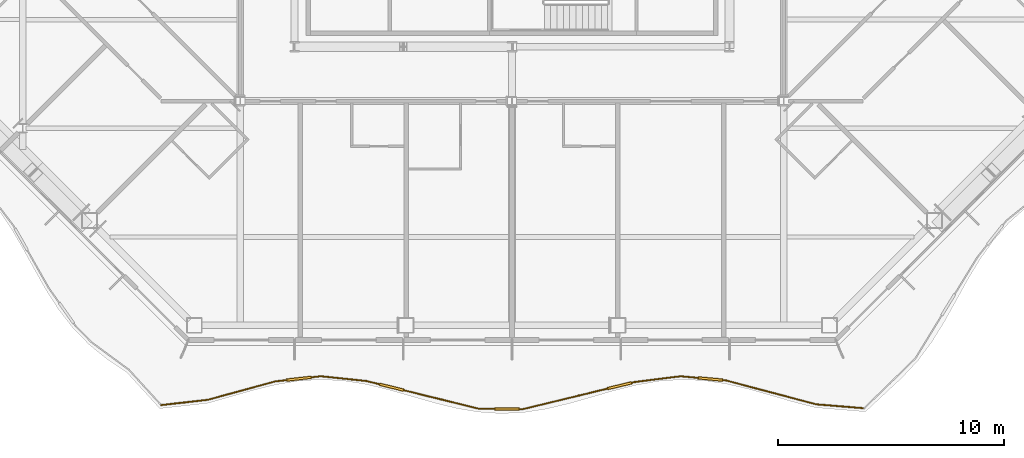
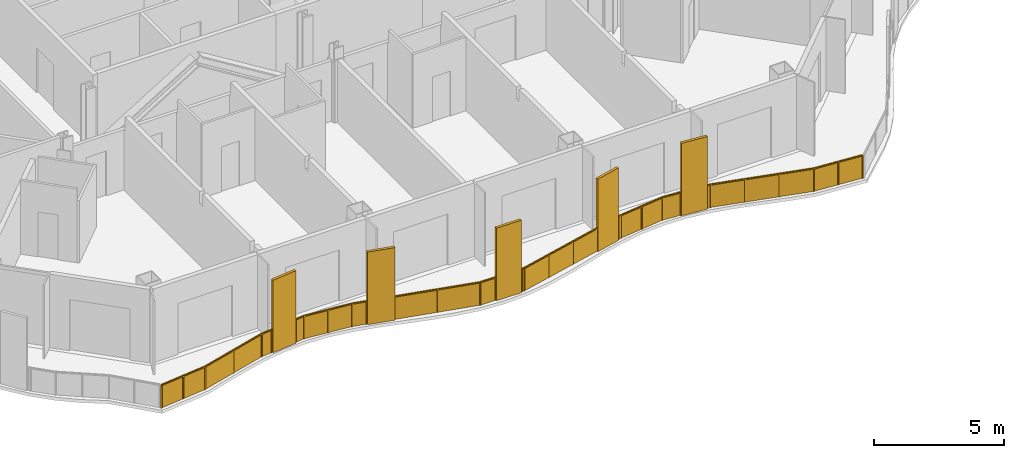
# One storey, part 16 of 21: 1 railing.
"""IFC4 building model written with IfcOpenShell, lengths in metres."""

from ifc_helpers import new_model, si_unit, direction, frame, origin, origin_2d, place, context, subcontext, project, spatial, polyline, rectangle, outline, extrude, material, type_object, element, save


model = new_model("IFC4")

# Units and contexts
model_context = context("Model", 3, precision=1e-05, world=origin(), true_north=direction((0.0, 1.0)))
body_context = subcontext(model_context, "Body", "Model", "MODEL_VIEW")
ifc_project = project(units=[si_unit("LENGTHUNIT", "METRE"), si_unit("AREAUNIT", "SQUARE_METRE"), si_unit("VOLUMEUNIT", "CUBIC_METRE"), si_unit("PLANEANGLEUNIT", "RADIAN"), si_unit("MASSUNIT", "GRAM", prefix="KILO")], contexts=[model_context])

# Site, building, storey
site_placement = place(None, origin())
site = spatial("IfcSite", under=ifc_project, at=site_placement, CompositionType="ELEMENT")
building_placement = place(site_placement, origin())
building = spatial("IfcBuilding", under=site, at=building_placement, Name="Cairn Pilgrim Tower", CompositionType="ELEMENT")
storey_placement = place(building_placement, frame((0.0, 0.0, 143.39990234375)))
storey = spatial("IfcBuildingStorey", under=building, at=storey_placement, Name="L35", CompositionType="ELEMENT", Elevation=143.39990234375)

# Railing
ifc_material = material(Name="Bronze anodised aluminium rail, posts and fin screens with laminated glass infill", Category="aluminium")
railing_type = type_object("IfcRailingType", Name="BALCONY GUARD WITH FIN SCREENS", PredefinedType="GUARDRAIL", material=ifc_material)
railing_placement = place(storey_placement, frame((-8.29248046875, -21.82275390625, 0.0)))
element("IfcRailing", 1, at=railing_placement, inside=storey, type_object=railing_type, Name="Balcony guard BGF-1 with fin screens", PredefinedType="GUARDRAIL", context=body_context, shape_type="SweptSolid", body=[
    extrude(rectangle(XDim=0.050048828125, YDim=0.050048828125, at=origin_2d()), frame((0.0, 0.0, 1.0751953125), z_axis=(0.993718700808, 0.111906852625, 0.0), x_axis=(-0.111906852625, 0.993718700808, 0.0)), (0.0, 0.0, 1.0), 2.0703125),
    extrude(rectangle(XDim=0.050048828125, YDim=0.050048828125, at=origin_2d()), frame((2.057373046875, 0.231689453125, 1.0751953125), z_axis=(0.964685333333, 0.263405025868, 0.0), x_axis=(-0.263405025868, 0.964685333333, 0.0)), (0.0, 0.0, 1.0), 3.08837890625),
    extrude(rectangle(XDim=1.10009765625, YDim=0.110107421875, at=origin_2d()), frame((6.086181640625, 1.1640625, 0.0), z_axis=(0.0, 0.0, 1.0), x_axis=(0.993637462678, 0.112625897394, 0.0)), (0.0, 0.0, 1.0), 3.39990234375),
    extrude(rectangle(XDim=0.050048828125, YDim=0.050048828125, at=origin_2d()), frame((5.03662109375, 1.045166015625, 1.0751953125), z_axis=(0.993637462678, 0.112625897394, 0.0), x_axis=(-0.112625897394, 0.993637462678, 0.0)), (0.0, 0.0, 1.0), 0.50634765625),
    extrude(rectangle(XDim=0.050048828125, YDim=0.050048828125, at=origin_2d()), frame((6.6328125, 1.22607421875, 1.0751953125), z_axis=(0.993637462678, 0.112625897394, 0.0), x_axis=(-0.112625897394, 0.993637462678, 0.0)), (0.0, 0.0, 1.0), 0.42041015625),
    extrude(rectangle(XDim=0.050048828125, YDim=0.050048828125, at=origin_2d()), frame((7.050537109375, 1.2734375, 1.0751953125), z_axis=(0.994552944942, -0.104232623051, 0.0), x_axis=(0.104232623051, 0.994552944942, 0.0)), (0.0, 0.0, 1.0), 2.023681640625),
    extrude(rectangle(XDim=1.10009765625, YDim=0.110107421875, at=origin_2d()), frame((10.178466796875, 0.78759765625, 0.0), z_axis=(0.0, 0.0, 1.0), x_axis=(0.970930323775, -0.239362291046, 0.0)), (0.0, 0.0, 1.0), 3.39990234375),
    extrude(rectangle(XDim=0.050048828125, YDim=0.050048828125, at=origin_2d()), frame((9.063232421875, 1.0625, 1.0751953125), z_axis=(0.970930323775, -0.239362291046, 0.0), x_axis=(0.239362291046, 0.970930323775, 0.0)), (0.0, 0.0, 1.0), 0.5986328125),
    extrude(rectangle(XDim=0.050048828125, YDim=0.050048828125, at=origin_2d()), frame((10.71240234375, 0.656005859375, 1.0751953125), z_axis=(0.970930323775, -0.239362291046, 0.0), x_axis=(0.239362291046, 0.970930323775, 0.0)), (0.0, 0.0, 1.0), 3.408447265625),
    extrude(rectangle(XDim=1.10009765625, YDim=0.110107421875, at=origin_2d()), frame((15.27197265625, -0.173583984375, 0.0), z_axis=(0.0, 0.0, 1.0), x_axis=(0.999940694665, -0.010890691091, 0.0)), (0.0, 0.0, 1.0), 3.39990234375),
    extrude(rectangle(XDim=0.050048828125, YDim=0.050048828125, at=origin_2d()), frame((14.021728515625, -0.159912109375, 1.0751953125), z_axis=(0.999940694665, -0.010890691091, 0.0), x_axis=(0.010890691091, 0.999940694665, 0.0)), (0.0, 0.0, 1.0), 0.7001953125),
    extrude(rectangle(XDim=0.050048828125, YDim=0.050048828125, at=origin_2d()), frame((15.82177734375, -0.179443359375, 1.0751953125), z_axis=(0.999940694665, -0.010890691091, 0.0), x_axis=(0.010890691091, 0.999940694665, 0.0)), (0.0, 0.0, 1.0), 0.150146484375),
    extrude(rectangle(XDim=1.10009765625, YDim=0.110107421875, at=origin_2d()), frame((20.2470703125, 0.8564453125, 0.0), z_axis=(0.0, 0.0, 1.0), x_axis=(0.971792276138, 0.235838444785, 0.0)), (0.0, 0.0, 1.0), 3.39990234375),
    extrude(rectangle(XDim=0.050048828125, YDim=0.050048828125, at=origin_2d()), frame((15.971923828125, -0.18115234375, 1.0751953125), z_axis=(0.971792276138, 0.235838444785, 0.0), x_axis=(-0.235838444785, 0.971792276138, 0.0)), (0.0, 0.0, 1.0), 3.849365234375),
    extrude(rectangle(XDim=0.050048828125, YDim=0.050048828125, at=origin_2d()), frame((20.78173828125, 0.986083984375, 1.0751953125), z_axis=(0.971792276138, 0.235838444785, 0.0), x_axis=(-0.235838444785, 0.971792276138, 0.0)), (0.0, 0.0, 1.0), 0.150146484375),
    extrude(rectangle(XDim=0.050048828125, YDim=0.050048828125, at=origin_2d()), frame((20.927490234375, 1.021484375, 1.0751953125), z_axis=(0.992316749148, 0.123723358186, 0.0), x_axis=(-0.123723358186, 0.992316749148, 0.0)), (0.0, 0.0, 1.0), 2.026611328125),
    extrude(rectangle(XDim=1.10009765625, YDim=0.110107421875, at=origin_2d()), frame((24.25634765625, 1.149658203125, 0.0), z_axis=(0.0, 0.0, 1.0), x_axis=(0.995698110314, -0.092656748906, 0.0)), (0.0, 0.0, 1.0), 3.39990234375),
    extrude(rectangle(XDim=0.050048828125, YDim=0.050048828125, at=origin_2d()), frame((22.9384765625, 1.272216796875, 1.0751953125), z_axis=(0.995698110314, -0.092656748906, 0.0), x_axis=(0.092656748906, 0.995698110314, 0.0)), (0.0, 0.0, 1.0), 0.7734375),
    extrude(rectangle(XDim=0.050048828125, YDim=0.050048828125, at=origin_2d()), frame((24.803955078125, 1.0986328125, 1.0751953125), z_axis=(0.995698110314, -0.092656748906, 0.0), x_axis=(0.092656748906, 0.995698110314, 0.0)), (0.0, 0.0, 1.0), 0.150146484375),
    extrude(rectangle(XDim=0.050048828125, YDim=0.050048828125, at=origin_2d()), frame((24.953369140625, 1.084716796875, 1.0751953125), z_axis=(0.966645970379, -0.256116317227, 0.0), x_axis=(0.256116317227, 0.966645970379, 0.0)), (0.0, 0.0, 1.0), 4.1083984375),
    extrude(rectangle(XDim=0.050048828125, YDim=0.050048828125, at=origin_2d()), frame((28.9248046875, 0.032470703125, 1.0751953125), z_axis=(0.996694769483, -0.081237531265, 0.0), x_axis=(0.081237531265, 0.996694769483, 0.0)), (0.0, 0.0, 1.0), 2.067626953125),
    extrude(rectangle(XDim=0.050048828125, YDim=0.050048828125, at=origin_2d()), origin(), (0.0, 0.0, 1.0), 1.050048828125),
    extrude(rectangle(XDim=0.050048828125, YDim=0.050048828125, at=origin_2d()), frame((1.02880859375, 0.11572265625, 0.0)), (0.0, 0.0, 1.0), 1.050048828125),
    extrude(rectangle(XDim=0.050048828125, YDim=0.050048828125, at=origin_2d()), frame((2.057373046875, 0.231689453125, 0.0)), (0.0, 0.0, 1.0), 1.050048828125),
    extrude(rectangle(XDim=0.050048828125, YDim=0.050048828125, at=origin_2d()), frame((3.546875, 0.638427734375, 0.0)), (0.0, 0.0, 1.0), 1.050048828125),
    extrude(rectangle(XDim=0.050048828125, YDim=0.050048828125, at=origin_2d()), frame((5.03662109375, 1.045166015625, 0.0)), (0.0, 0.0, 1.0), 1.050048828125),
    extrude(rectangle(XDim=0.050048828125, YDim=0.050048828125, at=origin_2d()), frame((5.514892578125, 1.099365234375, 0.0)), (0.0, 0.0, 1.0), 1.050048828125),
    extrude(rectangle(XDim=0.050048828125, YDim=0.050048828125, at=origin_2d()), frame((6.657470703125, 1.22900390625, 0.0)), (0.0, 0.0, 1.0), 1.050048828125),
    extrude(rectangle(XDim=0.050048828125, YDim=0.050048828125, at=origin_2d()), frame((7.050537109375, 1.2734375, 0.0)), (0.0, 0.0, 1.0), 1.050048828125),
    extrude(rectangle(XDim=0.050048828125, YDim=0.050048828125, at=origin_2d()), frame((8.056884765625, 1.16796875, 0.0)), (0.0, 0.0, 1.0), 1.050048828125),
    extrude(rectangle(XDim=0.050048828125, YDim=0.050048828125, at=origin_2d()), frame((9.063232421875, 1.0625, 0.0)), (0.0, 0.0, 1.0), 1.050048828125),
    extrude(rectangle(XDim=0.050048828125, YDim=0.050048828125, at=origin_2d()), frame((9.6201171875, 0.92529296875, 0.0)), (0.0, 0.0, 1.0), 1.050048828125),
    extrude(rectangle(XDim=0.050048828125, YDim=0.050048828125, at=origin_2d()), frame((10.73681640625, 0.64990234375, 0.0)), (0.0, 0.0, 1.0), 1.050048828125),
    extrude(rectangle(XDim=0.050048828125, YDim=0.050048828125, at=origin_2d()), frame((12.379150390625, 0.2451171875, 0.0)), (0.0, 0.0, 1.0), 1.050048828125),
    extrude(rectangle(XDim=0.050048828125, YDim=0.050048828125, at=origin_2d()), frame((14.021728515625, -0.159912109375, 0.0)), (0.0, 0.0, 1.0), 1.050048828125),
    extrude(rectangle(XDim=0.050048828125, YDim=0.050048828125, at=origin_2d()), frame((14.69677734375, -0.167236328125, 0.0)), (0.0, 0.0, 1.0), 1.050048828125),
    extrude(rectangle(XDim=0.050048828125, YDim=0.050048828125, at=origin_2d()), frame((15.846923828125, -0.1796875, 0.0)), (0.0, 0.0, 1.0), 1.050048828125),
    extrude(rectangle(XDim=0.050048828125, YDim=0.050048828125, at=origin_2d()), frame((15.971923828125, -0.18115234375, 0.0)), (0.0, 0.0, 1.0), 1.050048828125),
    extrude(rectangle(XDim=0.050048828125, YDim=0.050048828125, at=origin_2d()), frame((17.210693359375, 0.119384765625, 0.0)), (0.0, 0.0, 1.0), 1.050048828125),
    extrude(rectangle(XDim=0.050048828125, YDim=0.050048828125, at=origin_2d()), frame((18.449462890625, 0.420166015625, 0.0)), (0.0, 0.0, 1.0), 1.050048828125),
    extrude(rectangle(XDim=0.050048828125, YDim=0.050048828125, at=origin_2d()), frame((19.688232421875, 0.720703125, 0.0)), (0.0, 0.0, 1.0), 1.050048828125),
    extrude(rectangle(XDim=0.050048828125, YDim=0.050048828125, at=origin_2d()), frame((20.805908203125, 0.991943359375, 0.0)), (0.0, 0.0, 1.0), 1.050048828125),
    extrude(rectangle(XDim=0.050048828125, YDim=0.050048828125, at=origin_2d()), frame((20.927490234375, 1.021484375, 0.0)), (0.0, 0.0, 1.0), 1.050048828125),
    extrude(rectangle(XDim=0.050048828125, YDim=0.050048828125, at=origin_2d()), frame((21.93310546875, 1.14697265625, 0.0)), (0.0, 0.0, 1.0), 1.050048828125),
    extrude(rectangle(XDim=0.050048828125, YDim=0.050048828125, at=origin_2d()), frame((22.9384765625, 1.272216796875, 0.0)), (0.0, 0.0, 1.0), 1.050048828125),
    extrude(rectangle(XDim=0.050048828125, YDim=0.050048828125, at=origin_2d()), frame((23.68359375, 1.202880859375, 0.0)), (0.0, 0.0, 1.0), 1.050048828125),
    extrude(rectangle(XDim=0.050048828125, YDim=0.050048828125, at=origin_2d()), frame((24.828857421875, 1.09619140625, 0.0)), (0.0, 0.0, 1.0), 1.050048828125),
    extrude(rectangle(XDim=0.050048828125, YDim=0.050048828125, at=origin_2d()), frame((24.953369140625, 1.084716796875, 0.0)), (0.0, 0.0, 1.0), 1.050048828125),
    extrude(rectangle(XDim=0.050048828125, YDim=0.050048828125, at=origin_2d()), frame((26.277099609375, 0.73388671875, 0.0)), (0.0, 0.0, 1.0), 1.050048828125),
    extrude(rectangle(XDim=0.050048828125, YDim=0.050048828125, at=origin_2d()), frame((27.60107421875, 0.38330078125, 0.0)), (0.0, 0.0, 1.0), 1.050048828125),
    extrude(rectangle(XDim=0.050048828125, YDim=0.050048828125, at=origin_2d()), frame((28.9248046875, 0.032470703125, 0.0)), (0.0, 0.0, 1.0), 1.050048828125),
    extrude(rectangle(XDim=0.050048828125, YDim=0.050048828125, at=origin_2d()), frame((29.955078125, -0.051513671875, 0.0)), (0.0, 0.0, 1.0), 1.050048828125),
    extrude(rectangle(XDim=0.050048828125, YDim=0.050048828125, at=origin_2d()), frame((30.985595703125, -0.135498046875, 0.0)), (0.0, 0.0, 1.0), 1.050048828125),
    extrude(outline(polyline([(0.02490234375, 0.0), (1.01025390625, 0.0), (1.01025390625, 1.050048828125), (0.02490234375, 1.050048828125), (0.02490234375, 0.0)])), frame((-0.000732421875, 0.005859375, 0.0), z_axis=(0.111906852625, -0.993718700808, 0.0), x_axis=(0.993718700808, 0.111906852625, 0.0)), (0.0, 0.0, 1.0), 0.011962890625),
    extrude(outline(polyline([(0.02490234375, 0.0), (1.01025390625, 0.0), (1.01025390625, 1.050048828125), (0.02490234375, 1.050048828125), (0.02490234375, 0.0)])), frame((1.028076171875, 0.121826171875, 0.0), z_axis=(0.111906852625, -0.993718700808, 0.0), x_axis=(0.993718700808, 0.111906852625, 0.0)), (0.0, 0.0, 1.0), 0.011962890625),
    extrude(outline(polyline([(0.02490234375, 0.0), (1.51904296875, 0.0), (1.51904296875, 1.050048828125), (0.02490234375, 1.050048828125), (0.02490234375, 0.0)])), frame((2.055908203125, 0.237548828125, 0.0), z_axis=(0.263405025868, -0.964685333333, 0.0), x_axis=(0.964685333333, 0.263405025868, 0.0)), (0.0, 0.0, 1.0), 0.011962890625),
    extrude(outline(polyline([(0.02490234375, 0.0), (1.51904296875, 0.0), (1.51904296875, 1.050048828125), (0.02490234375, 1.050048828125), (0.02490234375, 0.0)])), frame((3.54541015625, 0.644287109375, 0.0), z_axis=(0.263405025868, -0.964685333333, 0.0), x_axis=(0.964685333333, 0.263405025868, 0.0)), (0.0, 0.0, 1.0), 0.011962890625),
    extrude(outline(polyline([(0.02490234375, 0.0), (0.456298828125, 0.0), (0.456298828125, 1.050048828125), (0.02490234375, 1.050048828125), (0.02490234375, 0.0)])), frame((5.035888671875, 1.051025390625, 0.0), z_axis=(0.112625897394, -0.993637462678, 0.0), x_axis=(0.993637462678, 0.112625897394, 0.0)), (0.0, 0.0, 1.0), 0.011962890625),
    extrude(outline(polyline([(0.02490234375, 0.0), (0.370361328125, 0.0), (0.370361328125, 1.050048828125), (0.02490234375, 1.050048828125), (0.02490234375, 0.0)])), frame((6.656982421875, 1.23486328125, 0.0), z_axis=(0.112625897394, -0.993637462678, 0.0), x_axis=(0.993637462678, 0.112625897394, 0.0)), (0.0, 0.0, 1.0), 0.011962890625),
    extrude(outline(polyline([(0.02490234375, 0.0), (0.98681640625, 0.0), (0.98681640625, 1.050048828125), (0.02490234375, 1.050048828125), (0.02490234375, 0.0)])), frame((7.05126953125, 1.279296875, 0.0), z_axis=(-0.104232623051, -0.994552944942, 0.0), x_axis=(0.994552944942, -0.104232623051, 0.0)), (0.0, 0.0, 1.0), 0.011962890625),
    extrude(outline(polyline([(0.02490234375, 0.0), (0.98681640625, 0.0), (0.98681640625, 1.050048828125), (0.02490234375, 1.050048828125), (0.02490234375, 0.0)])), frame((8.0576171875, 1.173828125, 0.0), z_axis=(-0.104232623051, -0.994552944942, 0.0), x_axis=(0.994552944942, -0.104232623051, 0.0)), (0.0, 0.0, 1.0), 0.011962890625),
    extrude(outline(polyline([(0.02490234375, 0.0), (0.548583984375, 0.0), (0.548583984375, 1.050048828125), (0.02490234375, 1.050048828125), (0.02490234375, 0.0)])), frame((9.064697265625, 1.068359375, 0.0), z_axis=(-0.239362291046, -0.970930323775, 0.0), x_axis=(0.970930323775, -0.239362291046, 0.0)), (0.0, 0.0, 1.0), 0.011962890625),
    extrude(outline(polyline([(0.02490234375, 0.0), (1.666748046875, 0.0), (1.666748046875, 1.050048828125), (0.02490234375, 1.050048828125), (0.02490234375, 0.0)])), frame((10.73828125, 0.65576171875, 0.0), z_axis=(-0.239362291046, -0.970930323775, 0.0), x_axis=(0.970930323775, -0.239362291046, 0.0)), (0.0, 0.0, 1.0), 0.011962890625),
    extrude(outline(polyline([(0.02490234375, 0.0), (1.666748046875, 0.0), (1.666748046875, 1.050048828125), (0.02490234375, 1.050048828125), (0.02490234375, 0.0)])), frame((12.380615234375, 0.250732421875, 0.0), z_axis=(-0.239362291046, -0.970930323775, 0.0), x_axis=(0.970930323775, -0.239362291046, 0.0)), (0.0, 0.0, 1.0), 0.011962890625),
    extrude(outline(polyline([(0.02490234375, 0.0), (0.650146484375, 0.0), (0.650146484375, 1.050048828125), (0.02490234375, 1.050048828125), (0.02490234375, 0.0)])), frame((14.021728515625, -0.154052734375, 0.0), z_axis=(-0.010890691091, -0.999940694665, 0.0), x_axis=(0.999940694665, -0.010890691091, 0.0)), (0.0, 0.0, 1.0), 0.011962890625),
    extrude(outline(polyline([(0.02490234375, 0.0), (0.10009765625, 0.0), (0.10009765625, 1.050048828125), (0.02490234375, 1.050048828125), (0.02490234375, 0.0)])), frame((15.846923828125, -0.173828125, 0.0), z_axis=(-0.010890691091, -0.999940694665, 0.0), x_axis=(0.999940694665, -0.010890691091, 0.0)), (0.0, 0.0, 1.0), 0.011962890625),
    extrude(outline(polyline([(0.02490234375, 0.0), (1.249755859375, 0.0), (1.249755859375, 1.050048828125), (0.02490234375, 1.050048828125), (0.02490234375, 0.0)])), frame((15.970458984375, -0.17529296875, 0.0), z_axis=(0.235838444785, -0.971792276138, 0.0), x_axis=(0.971792276138, 0.235838444785, 0.0)), (0.0, 0.0, 1.0), 0.011962890625),
    extrude(outline(polyline([(0.02490234375, 0.0), (1.249755859375, 0.0), (1.249755859375, 1.050048828125), (0.02490234375, 1.050048828125), (0.02490234375, 0.0)])), frame((17.209228515625, 0.125244140625, 0.0), z_axis=(0.235838444785, -0.971792276138, 0.0), x_axis=(0.971792276138, 0.235838444785, 0.0)), (0.0, 0.0, 1.0), 0.011962890625),
    extrude(outline(polyline([(0.02490234375, 0.0), (1.249755859375, 0.0), (1.249755859375, 1.050048828125), (0.02490234375, 1.050048828125), (0.02490234375, 0.0)])), frame((18.4482421875, 0.426025390625, 0.0), z_axis=(0.235838444785, -0.971792276138, 0.0), x_axis=(0.971792276138, 0.235838444785, 0.0)), (0.0, 0.0, 1.0), 0.011962890625),
    extrude(outline(polyline([(0.02490234375, 0.0), (0.10009765625, 0.0), (0.10009765625, 1.050048828125), (0.02490234375, 1.050048828125), (0.02490234375, 0.0)])), frame((20.804443359375, 0.997802734375, 0.0), z_axis=(0.235838444785, -0.971792276138, 0.0), x_axis=(0.971792276138, 0.235838444785, 0.0)), (0.0, 0.0, 1.0), 0.011962890625),
    extrude(outline(polyline([(0.02490234375, 0.0), (0.98828125, 0.0), (0.98828125, 1.050048828125), (0.02490234375, 1.050048828125), (0.02490234375, 0.0)])), frame((20.9267578125, 1.02734375, 0.0), z_axis=(0.123723358186, -0.992316749148, 0.0), x_axis=(0.992316749148, 0.123723358186, 0.0)), (0.0, 0.0, 1.0), 0.011962890625),
    extrude(outline(polyline([(0.02490234375, 0.0), (0.98828125, 0.0), (0.98828125, 1.050048828125), (0.02490234375, 1.050048828125), (0.02490234375, 0.0)])), frame((21.93212890625, 1.15283203125, 0.0), z_axis=(0.123723358186, -0.992316749148, 0.0), x_axis=(0.992316749148, 0.123723358186, 0.0)), (0.0, 0.0, 1.0), 0.011962890625),
    extrude(outline(polyline([(0.02490234375, 0.0), (0.723388671875, 0.0), (0.723388671875, 1.050048828125), (0.02490234375, 1.050048828125), (0.02490234375, 0.0)])), frame((22.93896484375, 1.278076171875, 0.0), z_axis=(-0.092656748906, -0.995698110314, 0.0), x_axis=(0.995698110314, -0.092656748906, 0.0)), (0.0, 0.0, 1.0), 0.011962890625),
    extrude(outline(polyline([(0.02490234375, 0.0), (0.10009765625, 0.0), (0.10009765625, 1.050048828125), (0.02490234375, 1.050048828125), (0.02490234375, 0.0)])), frame((24.829345703125, 1.102294921875, 0.0), z_axis=(-0.092656748906, -0.995698110314, 0.0), x_axis=(0.995698110314, -0.092656748906, 0.0)), (0.0, 0.0, 1.0), 0.011962890625),
    extrude(outline(polyline([(0.02490234375, 0.0), (1.344482421875, 0.0), (1.344482421875, 1.050048828125), (0.02490234375, 1.050048828125), (0.02490234375, 0.0)])), frame((24.954833984375, 1.090576171875, 0.0), z_axis=(-0.256116317227, -0.966645970379, 0.0), x_axis=(0.966645970379, -0.256116317227, 0.0)), (0.0, 0.0, 1.0), 0.011962890625),
    extrude(outline(polyline([(0.02490234375, 0.0), (1.344482421875, 0.0), (1.344482421875, 1.050048828125), (0.02490234375, 1.050048828125), (0.02490234375, 0.0)])), frame((26.27880859375, 0.73974609375, 0.0), z_axis=(-0.256116317227, -0.966645970379, 0.0), x_axis=(0.966645970379, -0.256116317227, 0.0)), (0.0, 0.0, 1.0), 0.011962890625),
    extrude(outline(polyline([(0.02490234375, 0.0), (1.344482421875, 0.0), (1.344482421875, 1.050048828125), (0.02490234375, 1.050048828125), (0.02490234375, 0.0)])), frame((27.6025390625, 0.388916015625, 0.0), z_axis=(-0.256116317227, -0.966645970379, 0.0), x_axis=(0.966645970379, -0.256116317227, 0.0)), (0.0, 0.0, 1.0), 0.011962890625),
    extrude(outline(polyline([(0.02490234375, 0.0), (1.0087890625, 0.0), (1.0087890625, 1.050048828125), (0.02490234375, 1.050048828125), (0.02490234375, 0.0)])), frame((28.92529296875, 0.038330078125, 0.0), z_axis=(-0.081237531265, -0.996694769483, 0.0), x_axis=(0.996694769483, -0.081237531265, 0.0)), (0.0, 0.0, 1.0), 0.011962890625),
    extrude(outline(polyline([(0.02490234375, 0.0), (1.0087890625, 0.0), (1.0087890625, 1.050048828125), (0.02490234375, 1.050048828125), (0.02490234375, 0.0)])), frame((29.95556640625, -0.045654296875, 0.0), z_axis=(-0.081237531265, -0.996694769483, 0.0), x_axis=(0.996694769483, -0.081237531265, 0.0)), (0.0, 0.0, 1.0), 0.011962890625),
])

save(model, "model.ifc")
